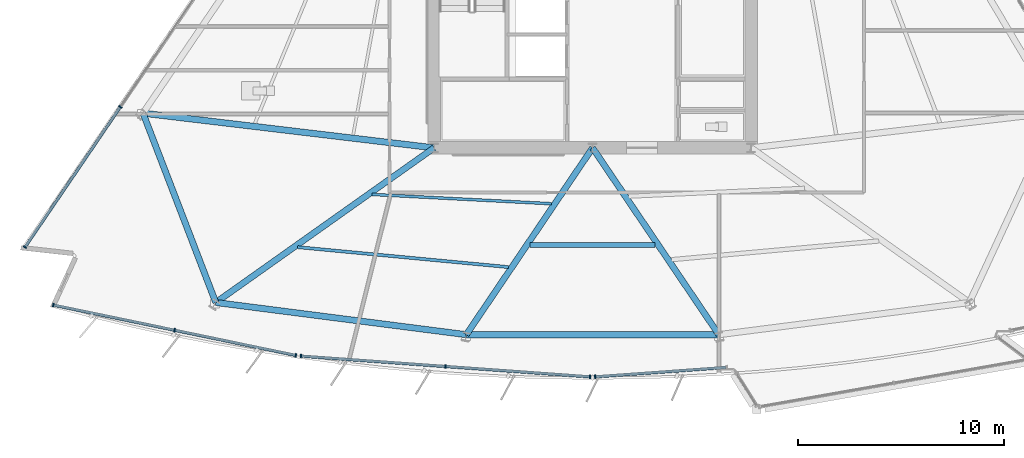
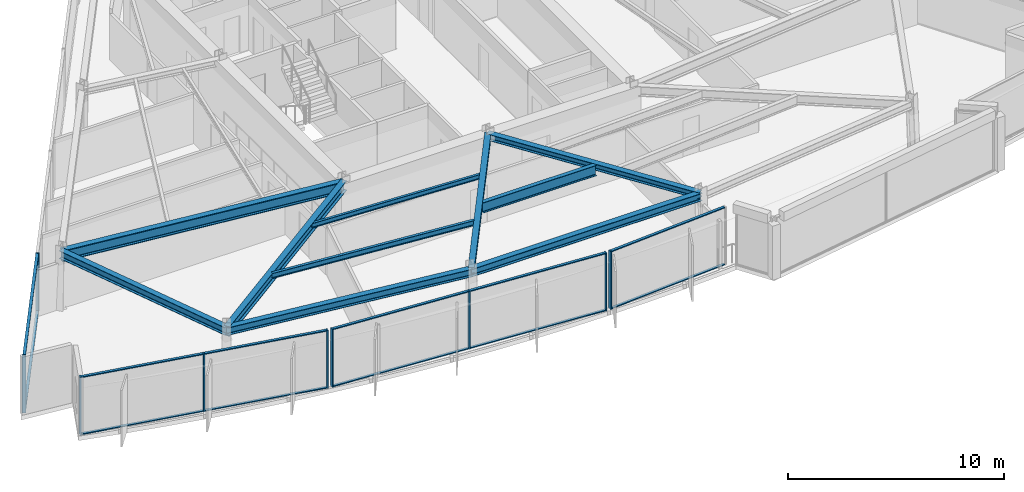
# One storey, part 2 of 15: 21 members, 10 beams, 4 elements without a shape of their own.
"""IFC4 building model written with IfcOpenShell, lengths in metres."""

from ifc_helpers import new_model, si_unit, direction, frame, origin, origin_2d, place, context, subcontext, project, spatial, rectangle, i_section, extrude, material, material_profile, profile_set, type_object, element, aggregate, save


model = new_model("IFC4")

# Units and contexts
model_context = context("Model", 3, precision=1e-05, world=origin(), true_north=direction((0.0, 1.0)))
body_context = subcontext(model_context, "Body", "Model", "MODEL_VIEW")
ifc_project = project(units=[si_unit("LENGTHUNIT", "METRE"), si_unit("AREAUNIT", "SQUARE_METRE"), si_unit("VOLUMEUNIT", "CUBIC_METRE"), si_unit("PLANEANGLEUNIT", "RADIAN"), si_unit("MASSUNIT", "GRAM", prefix="KILO")], contexts=[model_context])

# Site, building, storey
site_placement = place(None, origin())
site = spatial("IfcSite", under=ifc_project, at=site_placement, CompositionType="ELEMENT")
building_placement = place(site_placement, origin())
building = spatial("IfcBuilding", under=site, at=building_placement, Name="Savorim Split Tower", CompositionType="ELEMENT")
storey_placement = place(building_placement, frame((0.0, 0.0, 125.699951171875)))
storey = spatial("IfcBuildingStorey", under=building, at=storey_placement, Name="L33", CompositionType="ELEMENT", Elevation=125.699951171875)

# Beams
ifc_material_1 = material(Name="Steel S355", Category="steel")
ifc_material_profile_1 = material_profile(ifc_material_1, i_section(OverallWidth=0.135009765625, OverallDepth=0.27001953125, WebThickness=0.006591796875, FlangeThickness=0.01025390625, FilletRadius=0.014892578125, at=origin_2d()), Name="IPE 270")
ifc_profile_set_1 = profile_set([ifc_material_profile_1], Name="Steel S355")
beam_type_1 = type_object("IfcBeamType", Name="BM-JST-IPE270", PredefinedType="JOIST", material=ifc_profile_set_1)
beam_1_placement = place(storey_placement, frame((-10.7216796875, -11.662109375, 3.14501953125), z_axis=(0.998658836431, -0.05177381981, 0.0), x_axis=(0.05177381981, 0.998658836431, 0.0)))
element("IfcBeam", 1, at=beam_1_placement, inside=storey, type_object=beam_type_1, Name="L33 Secondary Floor Joist JS-02", PredefinedType="JOIST", context=body_context, shape_type="SweptSolid", body=[
    extrude(i_section(OverallWidth=0.135009765625, OverallDepth=0.27001953125, WebThickness=0.006591796875, FlangeThickness=0.01025390625, FilletRadius=0.014892578125, at=origin_2d()), origin(), (0.0, 0.0, 1.0), 8.733154296875),
])
ifc_material_profile_2 = material_profile(ifc_material_1, i_section(OverallWidth=0.14990234375, OverallDepth=0.300048828125, WebThickness=0.007080078125, FlangeThickness=0.0107421875, FilletRadius=0.014892578125, at=origin_2d()), Name="IPE 300")
ifc_profile_set_2 = profile_set([ifc_material_profile_2], Name="Steel S355")
beam_type_2 = type_object("IfcBeamType", Name="BM-JST-IPE300", PredefinedType="JOIST", material=ifc_profile_set_2)
beam_2_placement = place(storey_placement, frame((-14.327880859375, -14.22314453125, 3.130126953125), z_axis=(0.995545567043, -0.094281620372, 0.0), x_axis=(0.094281620372, 0.995545567043, 0.0)))
element("IfcBeam", 2, at=beam_2_placement, inside=storey, type_object=beam_type_2, Name="L33 Secondary Floor Joist JS-01", PredefinedType="JOIST", context=body_context, shape_type="SweptSolid", body=[
    extrude(i_section(OverallWidth=0.14990234375, OverallDepth=0.300048828125, WebThickness=0.007080078125, FlangeThickness=0.0107421875, FilletRadius=0.014892578125, at=origin_2d()), origin(), (0.0, 0.0, 1.0), 10.2880859375),
])
ifc_material_profile_3 = material_profile(ifc_material_1, i_section(OverallWidth=0.219970703125, OverallDepth=0.60009765625, WebThickness=0.011962890625, FlangeThickness=0.01904296875, FilletRadius=0.02392578125, at=origin_2d()), Name="IPE 600")
ifc_profile_set_3 = profile_set([ifc_material_profile_3], Name="Steel S355")
beam_type_3 = type_object("IfcBeamType", Name="BM-JST-IPE600", PredefinedType="JOIST", material=ifc_profile_set_3)
beam_3_placement = place(storey_placement, frame((-3.030029296875, -14.119140625, 2.97998046875), z_axis=(1.0, 0.0, 0.0), x_axis=(0.0, 1.0, 0.0)))
element("IfcBeam", 3, at=beam_3_placement, inside=storey, type_object=beam_type_3, Name="L33 Secondary Floor Joist JS-03", PredefinedType="JOIST", context=body_context, shape_type="SweptSolid", body=[
    extrude(i_section(OverallWidth=0.219970703125, OverallDepth=0.60009765625, WebThickness=0.011962890625, FlangeThickness=0.01904296875, FilletRadius=0.02392578125, at=origin_2d()), origin(), (0.0, 0.0, 1.0), 6.06005859375),
])
ifc_material_profile_4 = material_profile(ifc_material_1, i_section(OverallWidth=0.300048828125, OverallDepth=0.360107421875, WebThickness=0.012451171875, FlangeThickness=0.0224609375, FilletRadius=0.027099609375, at=origin_2d()), Name="HEB 360")
ifc_profile_set_4 = profile_set([ifc_material_profile_4], Name="Steel S355")
beam_type_4 = type_object("IfcBeamType", Name="BM-PRI-HEB360", PredefinedType="BEAM", material=ifc_profile_set_4)
for number, where, z_axis, x_axis, name in (
    (4, (-6.135009765625, -18.47509765625, 3.10009765625), (0.56005300594, 0.828456776505, 0.0), (-0.828456776505, 0.56005300594, 0.0), "L33 Primary Floor Girder RG-02"),
    (5, (6.135009765625, -18.47509765625, 3.10009765625), (-0.56005300594, 0.828456776505, 0.0), (-0.828456776505, -0.56005300594, 0.0), "L33 Primary Floor Girder RG-03"),
):
    element("IfcBeam", number, at=place(storey_placement, frame(where, z_axis=z_axis, x_axis=x_axis)), inside=storey, type_object=beam_type_4, Name=name, PredefinedType="BEAM", context=body_context, shape_type="SweptSolid", body=[
        extrude(i_section(OverallWidth=0.300048828125, OverallDepth=0.360107421875, WebThickness=0.012451171875, FlangeThickness=0.0224609375, FilletRadius=0.027099609375, at=origin_2d()), origin(), (0.0, 0.0, 1.0), 10.954345703125),
    ])
ifc_material_profile_5 = material_profile(ifc_material_1, i_section(OverallWidth=0.300048828125, OverallDepth=0.550048828125, WebThickness=0.014892578125, FlangeThickness=0.029052734375, FilletRadius=0.027099609375, at=origin_2d()), Name="HEB 550")
ifc_profile_set_5 = profile_set([ifc_material_profile_5], Name="Steel S355")
beam_type_5 = type_object("IfcBeamType", Name="BM-PRI-HEB550", PredefinedType="BEAM", material=ifc_profile_set_5)
beam_4_placement = place(storey_placement, frame((-18.304931640625, -16.91259765625, 3.005126953125), z_axis=(0.815994206393, 0.578060079173, 0.0), x_axis=(-0.578060079173, 0.815994206393, 0.0)))
element("IfcBeam", 6, at=beam_4_placement, inside=storey, type_object=beam_type_5, Name="L33 Primary Floor Girder RG-01", PredefinedType="BEAM", context=body_context, shape_type="SweptSolid", body=[
    extrude(i_section(OverallWidth=0.300048828125, OverallDepth=0.550048828125, WebThickness=0.014892578125, FlangeThickness=0.029052734375, FilletRadius=0.027099609375, at=origin_2d()), origin(), (0.0, 0.0, 1.0), 12.996337890625),
])
ifc_material_2 = material(Name="Steel S460", Category="steel")
ifc_material_profile_6 = material_profile(ifc_material_2, i_section(OverallWidth=0.304931640625, OverallDepth=0.6201171875, WebThickness=0.02099609375, FlangeThickness=0.0400390625, FilletRadius=0.027099609375, at=origin_2d()), Name="HE 600 M")
ifc_profile_set_6 = profile_set([ifc_material_profile_6], Name="Steel S460")
beam_type_6 = type_object("IfcBeamType", Name="BM-PRI-HEM600", PredefinedType="BEAM", material=ifc_profile_set_6)
beam_5_placement = place(storey_placement, frame((-21.83984375, -7.714599609375, 2.969970703125), z_axis=(0.992971924976, -0.118350142413, 0.0), x_axis=(0.118350142413, 0.992971924976, 0.0)))
element("IfcBeam", 7, at=beam_5_placement, inside=storey, type_object=beam_type_6, Name="L33 Primary Floor Girder RG-10", PredefinedType="BEAM", context=body_context, shape_type="SweptSolid", body=[
    extrude(i_section(OverallWidth=0.304931640625, OverallDepth=0.6201171875, WebThickness=0.02099609375, FlangeThickness=0.0400390625, FilletRadius=0.027099609375, at=origin_2d()), origin(), (0.0, 0.0, 1.0), 14.239990234375),
])
ifc_material_profile_7 = material_profile(ifc_material_1, i_section(OverallWidth=0.300048828125, OverallDepth=0.43994140625, WebThickness=0.011474609375, FlangeThickness=0.02099609375, FilletRadius=0.027099609375, at=origin_2d()), Name="HEA 450")
ifc_profile_set_7 = profile_set([ifc_material_profile_7], Name="Steel S355")
beam_type_7 = type_object("IfcBeamType", Name="BM-SPN-HEA450", PredefinedType="SPANDREL", material=ifc_profile_set_7)
beam_6_placement = place(storey_placement, frame((-18.304931640625, -16.91259765625, 3.06005859375), z_axis=(0.991858481482, -0.127345014474, 0.0), x_axis=(0.127345014474, 0.991858481482, 0.0)))
element("IfcBeam", 8, at=beam_6_placement, inside=storey, type_object=beam_type_7, Name="L33 Perimeter Spandrel Beam 1", PredefinedType="SPANDREL", context=body_context, shape_type="SweptSolid", body=[
    extrude(i_section(OverallWidth=0.300048828125, OverallDepth=0.43994140625, WebThickness=0.011474609375, FlangeThickness=0.02099609375, FilletRadius=0.027099609375, at=origin_2d()), origin(), (0.0, 0.0, 1.0), 12.269775390625),
])
beam_7_placement = place(storey_placement, frame((-6.135009765625, -18.47509765625, 3.06005859375), z_axis=(1.0, 0.0, 0.0), x_axis=(0.0, 1.0, 0.0)))
element("IfcBeam", 9, at=beam_7_placement, inside=storey, type_object=beam_type_7, Name="L33 Perimeter Spandrel Beam 2", PredefinedType="SPANDREL", context=body_context, shape_type="SweptSolid", body=[
    extrude(i_section(OverallWidth=0.300048828125, OverallDepth=0.43994140625, WebThickness=0.011474609375, FlangeThickness=0.02099609375, FilletRadius=0.027099609375, at=origin_2d()), origin(), (0.0, 0.0, 1.0), 12.27001953125),
])
beam_8_placement = place(storey_placement, frame((-21.83984375, -7.714599609375, 3.06005859375), z_axis=(0.358733349123, -0.933440080684, 0.0), x_axis=(0.933440080684, 0.358733349123, 0.0)))
element("IfcBeam", 10, at=beam_8_placement, inside=storey, type_object=beam_type_7, Name="L33 Perimeter Spandrel Beam 10", PredefinedType="SPANDREL", context=body_context, shape_type="SweptSolid", body=[
    extrude(i_section(OverallWidth=0.300048828125, OverallDepth=0.43994140625, WebThickness=0.011474609375, FlangeThickness=0.02099609375, FilletRadius=0.027099609375, at=origin_2d()), origin(), (0.0, 0.0, 1.0), 9.853759765625),
])

# Curtain wall, members
ifc_material_3 = material(Name="Dark Ceramic-Fritted Insulated Glass", Category="glass")
curtain_wall_type = type_object("IfcCurtainWallType", Name="CW-TWR-FRIT-A", PredefinedType="NOTDEFINED", material=ifc_material_3)
curtain_wall_1_placement = place(storey_placement, origin())
curtain_wall_1 = element("IfcCurtainWall", 11, at=curtain_wall_1_placement, inside=storey, type_object=curtain_wall_type, Name="L33 Curtain Wall CW-L33-SF1A", PredefinedType="NOTDEFINED")
ifc_material_4 = material(Name="Charcoal Anodised Aluminium", Category="aluminium")
ifc_material_profile_8 = material_profile(ifc_material_4, rectangle(XDim=0.179931640625, YDim=0.06494140625, at=origin_2d()), Name="ALU-M 180x65")
ifc_profile_set_8 = profile_set([ifc_material_profile_8], Name="Charcoal Anodised Aluminium")
member_type_1 = type_object("IfcMemberType", Name="CWM-180x65", PredefinedType="MULLION", material=ifc_profile_set_8)
member_1_placement = place(storey_placement, frame((-26.201171875, -17.0341796875, 0.0), z_axis=(0.0, 0.0, 1.0), x_axis=(0.203216307351, 0.979133868491, 0.0)))
member_1 = element("IfcMember", 12, at=member_1_placement, type_object=member_type_1, Name="CW-02 mullion 1", PredefinedType="MULLION", context=body_context, shape_type="SweptSolid", body=[
    extrude(rectangle(XDim=0.179931640625, YDim=0.06494140625, at=origin_2d()), origin(), (0.0, 0.0, 1.0), 3.280029296875),
])
member_2_placement = place(storey_placement, frame((-20.30859375, -18.257080078125, 0.0), z_axis=(0.0, 0.0, 1.0), x_axis=(0.203216307351, 0.979133868491, 0.0)))
member_2 = element("IfcMember", 13, at=member_2_placement, type_object=member_type_1, Name="CW-02 mullion 2", PredefinedType="MULLION", context=body_context, shape_type="SweptSolid", body=[
    extrude(rectangle(XDim=0.179931640625, YDim=0.06494140625, at=origin_2d()), origin(), (0.0, 0.0, 1.0), 3.280029296875),
])
member_3_placement = place(storey_placement, frame((-14.416259765625, -19.47998046875, 0.0), z_axis=(0.0, 0.0, 1.0), x_axis=(0.203216307351, 0.979133868491, 0.0)))
member_3 = element("IfcMember", 14, at=member_3_placement, type_object=member_type_1, Name="CW-02 mullion 3", PredefinedType="MULLION", context=body_context, shape_type="SweptSolid", body=[
    extrude(rectangle(XDim=0.179931640625, YDim=0.06494140625, at=origin_2d()), origin(), (0.0, 0.0, 1.0), 3.280029296875),
])

curtain_wall_2_placement = place(storey_placement, origin())
curtain_wall_2 = element("IfcCurtainWall", 15, at=curtain_wall_2_placement, inside=storey, type_object=curtain_wall_type, Name="L33 Curtain Wall CW-L33-SF2A", PredefinedType="NOTDEFINED")
member_4_placement = place(storey_placement, frame((-14.170166015625, -19.514404296875, 0.0), z_axis=(0.0, 0.0, 1.0), x_axis=(0.071558982453, 0.997436369916, 0.0)))
member_4 = element("IfcMember", 16, at=member_4_placement, type_object=member_type_1, Name="CW-02 mullion 1", PredefinedType="MULLION", context=body_context, shape_type="SweptSolid", body=[
    extrude(rectangle(XDim=0.179931640625, YDim=0.06494140625, at=origin_2d()), origin(), (0.0, 0.0, 1.0), 3.280029296875),
])
member_5_placement = place(storey_placement, frame((-7.14697265625, -20.018310546875, 0.0), z_axis=(0.0, 0.0, 1.0), x_axis=(0.071558982453, 0.997436369916, 0.0)))
member_5 = element("IfcMember", 17, at=member_5_placement, type_object=member_type_1, Name="CW-02 mullion 2", PredefinedType="MULLION", context=body_context, shape_type="SweptSolid", body=[
    extrude(rectangle(XDim=0.179931640625, YDim=0.06494140625, at=origin_2d()), origin(), (0.0, 0.0, 1.0), 3.280029296875),
])
member_6_placement = place(storey_placement, frame((-0.12353515625, -20.52197265625, 0.0), z_axis=(0.0, 0.0, 1.0), x_axis=(0.071558982453, 0.997436369916, 0.0)))
member_6 = element("IfcMember", 18, at=member_6_placement, type_object=member_type_1, Name="CW-02 mullion 3", PredefinedType="MULLION", context=body_context, shape_type="SweptSolid", body=[
    extrude(rectangle(XDim=0.179931640625, YDim=0.06494140625, at=origin_2d()), origin(), (0.0, 0.0, 1.0), 3.280029296875),
])

# Curtain wall, member
curtain_wall_3_placement = place(storey_placement, origin())
curtain_wall_3 = element("IfcCurtainWall", 19, at=curtain_wall_3_placement, inside=storey, type_object=curtain_wall_type, Name="L33 Curtain Wall CW-L33-SF3A", PredefinedType="NOTDEFINED")
member_7_placement = place(storey_placement, frame((0.12353515625, -20.52197265625, 0.0), z_axis=(0.0, 0.0, 1.0), x_axis=(-0.071562632816, 0.997436108021, 0.0)))
member_7 = element("IfcMember", 20, at=member_7_placement, type_object=member_type_1, Name="CW-02 mullion 1", PredefinedType="MULLION", context=body_context, shape_type="SweptSolid", body=[
    extrude(rectangle(XDim=0.179931640625, YDim=0.06494140625, at=origin_2d()), origin(), (0.0, 0.0, 1.0), 3.280029296875),
])

# Curtain wall, members
curtain_wall_4_placement = place(storey_placement, origin())
curtain_wall_4 = element("IfcCurtainWall", 21, at=curtain_wall_4_placement, inside=storey, type_object=curtain_wall_type, Name="L33 Curtain Wall CW-L33-WEST", PredefinedType="NOTDEFINED")
member_8_placement = place(storey_placement, frame((-22.94140625, -7.4091796875, 0.0), z_axis=(0.0, 0.0, 1.0), x_axis=(0.826819959579, -0.562466669628, 0.0)))
member_8 = element("IfcMember", 22, at=member_8_placement, type_object=member_type_1, Name="CW-02 mullion 4", PredefinedType="MULLION", context=body_context, shape_type="SweptSolid", body=[
    extrude(rectangle(XDim=0.179931640625, YDim=0.06494140625, at=origin_2d()), origin(), (0.0, 0.0, 1.0), 3.280029296875),
])
member_9_placement = place(storey_placement, frame((-27.57568359375, -14.221435546875, 0.0), z_axis=(0.0, 0.0, 1.0), x_axis=(0.826819959579, -0.562466669628, 0.0)))
member_9 = element("IfcMember", 23, at=member_9_placement, type_object=member_type_1, Name="CW-02 mullion 5", PredefinedType="MULLION", context=body_context, shape_type="SweptSolid", body=[
    extrude(rectangle(XDim=0.179931640625, YDim=0.06494140625, at=origin_2d()), origin(), (0.0, 0.0, 1.0), 3.280029296875),
])

# Member
ifc_material_profile_9 = material_profile(ifc_material_4, rectangle(XDim=0.139892578125, YDim=0.054931640625, at=origin_2d()), Name="ALU-T 140x55")
ifc_profile_set_9 = profile_set([ifc_material_profile_9], Name="Charcoal Anodised Aluminium")
member_type_2 = type_object("IfcMemberType", Name="CWT-140x55", PredefinedType="USERDEFINED", material=ifc_profile_set_9)
member_10_placement = place(storey_placement, frame((-26.169189453125, -17.040771484375, 0.027587890625), z_axis=(0.979133683494, -0.203217198698, 0.0), x_axis=(0.203217198698, 0.979133683494, 0.0)))
member_10 = element("IfcMember", 24, at=member_10_placement, type_object=member_type_2, Name="CW-02 transom 1.1", ObjectType="TRANSOM", PredefinedType="USERDEFINED", context=body_context, shape_type="SweptSolid", body=[
    extrude(rectangle(XDim=0.139892578125, YDim=0.054931640625, at=origin_2d()), origin(), (0.0, 0.0, 1.0), 5.952880859375),
])

member_11_placement = place(storey_placement, frame((-26.169189453125, -17.040771484375, 3.25244140625), z_axis=(0.979133683494, -0.203217198698, 0.0), x_axis=(0.203217198698, 0.979133683494, 0.0)))
member_11 = element("IfcMember", 25, at=member_11_placement, type_object=member_type_2, Name="CW-02 transom 1.2", ObjectType="TRANSOM", PredefinedType="USERDEFINED", context=body_context, shape_type="SweptSolid", body=[
    extrude(rectangle(XDim=0.139892578125, YDim=0.054931640625, at=origin_2d()), origin(), (0.0, 0.0, 1.0), 5.952880859375),
])

member_12_placement = place(storey_placement, frame((-20.27685546875, -18.263671875, 0.027587890625), z_axis=(0.979133683494, -0.203217198698, 0.0), x_axis=(0.203217198698, 0.979133683494, 0.0)))
member_12 = element("IfcMember", 26, at=member_12_placement, type_object=member_type_2, Name="CW-02 transom 2.1", ObjectType="TRANSOM", PredefinedType="USERDEFINED", context=body_context, shape_type="SweptSolid", body=[
    extrude(rectangle(XDim=0.139892578125, YDim=0.054931640625, at=origin_2d()), origin(), (0.0, 0.0, 1.0), 5.952880859375),
])

member_13_placement = place(storey_placement, frame((-20.27685546875, -18.263671875, 3.25244140625), z_axis=(0.979133683494, -0.203217198698, 0.0), x_axis=(0.203217198698, 0.979133683494, 0.0)))
member_13 = element("IfcMember", 27, at=member_13_placement, type_object=member_type_2, Name="CW-02 transom 2.2", ObjectType="TRANSOM", PredefinedType="USERDEFINED", context=body_context, shape_type="SweptSolid", body=[
    extrude(rectangle(XDim=0.139892578125, YDim=0.054931640625, at=origin_2d()), origin(), (0.0, 0.0, 1.0), 5.952880859375),
])

aggregate(curtain_wall_1, [member_1, member_2, member_3, member_10, member_11, member_12, member_13])

member_14_placement = place(storey_placement, frame((-14.137939453125, -19.5166015625, 0.027587890625), z_axis=(0.997435910974, -0.071565379199, 0.0), x_axis=(0.071565379199, 0.997435910974, 0.0)))
member_14 = element("IfcMember", 28, at=member_14_placement, type_object=member_type_2, Name="CW-02 transom 1.1", ObjectType="TRANSOM", PredefinedType="USERDEFINED", context=body_context, shape_type="SweptSolid", body=[
    extrude(rectangle(XDim=0.139892578125, YDim=0.054931640625, at=origin_2d()), origin(), (0.0, 0.0, 1.0), 6.976318359375),
])

member_15_placement = place(storey_placement, frame((-14.137939453125, -19.5166015625, 3.25244140625), z_axis=(0.997435910974, -0.071565379199, 0.0), x_axis=(0.071565379199, 0.997435910974, 0.0)))
member_15 = element("IfcMember", 29, at=member_15_placement, type_object=member_type_2, Name="CW-02 transom 1.2", ObjectType="TRANSOM", PredefinedType="USERDEFINED", context=body_context, shape_type="SweptSolid", body=[
    extrude(rectangle(XDim=0.139892578125, YDim=0.054931640625, at=origin_2d()), origin(), (0.0, 0.0, 1.0), 6.976318359375),
])

member_16_placement = place(storey_placement, frame((-7.114501953125, -20.0205078125, 0.027587890625), z_axis=(0.997435910974, -0.071565379199, 0.0), x_axis=(0.071565379199, 0.997435910974, 0.0)))
member_16 = element("IfcMember", 30, at=member_16_placement, type_object=member_type_2, Name="CW-02 transom 2.1", ObjectType="TRANSOM", PredefinedType="USERDEFINED", context=body_context, shape_type="SweptSolid", body=[
    extrude(rectangle(XDim=0.139892578125, YDim=0.054931640625, at=origin_2d()), origin(), (0.0, 0.0, 1.0), 6.976318359375),
])

member_17_placement = place(storey_placement, frame((-7.114501953125, -20.0205078125, 3.25244140625), z_axis=(0.997435910974, -0.071565379199, 0.0), x_axis=(0.071565379199, 0.997435910974, 0.0)))
member_17 = element("IfcMember", 31, at=member_17_placement, type_object=member_type_2, Name="CW-02 transom 2.2", ObjectType="TRANSOM", PredefinedType="USERDEFINED", context=body_context, shape_type="SweptSolid", body=[
    extrude(rectangle(XDim=0.139892578125, YDim=0.054931640625, at=origin_2d()), origin(), (0.0, 0.0, 1.0), 6.976318359375),
])

aggregate(curtain_wall_2, [member_4, member_5, member_6, member_14, member_15, member_16, member_17])

member_18_placement = place(storey_placement, frame((0.156005859375, -20.519775390625, 0.027587890625), z_axis=(0.997436931693, 0.071551151595, 0.0), x_axis=(-0.071551151595, 0.997436931693, 0.0)))
member_18 = element("IfcMember", 32, at=member_18_placement, type_object=member_type_2, Name="CW-02 transom 1.1", ObjectType="TRANSOM", PredefinedType="USERDEFINED", context=body_context, shape_type="SweptSolid", body=[
    extrude(rectangle(XDim=0.139892578125, YDim=0.054931640625, at=origin_2d()), origin(), (0.0, 0.0, 1.0), 6.332763671875),
])

member_19_placement = place(storey_placement, frame((0.156005859375, -20.519775390625, 3.25244140625), z_axis=(0.997436931693, 0.071551151595, 0.0), x_axis=(-0.071551151595, 0.997436931693, 0.0)))
member_19 = element("IfcMember", 33, at=member_19_placement, type_object=member_type_2, Name="CW-02 transom 1.2", ObjectType="TRANSOM", PredefinedType="USERDEFINED", context=body_context, shape_type="SweptSolid", body=[
    extrude(rectangle(XDim=0.139892578125, YDim=0.054931640625, at=origin_2d()), origin(), (0.0, 0.0, 1.0), 6.332763671875),
])

aggregate(curtain_wall_3, [member_7, member_18, member_19])

member_20_placement = place(storey_placement, frame((-22.959716796875, -7.43603515625, 0.027587890625), z_axis=(-0.562478304433, -0.826812044568, 0.0), x_axis=(0.826812044568, -0.562478304433, 0.0)))
member_20 = element("IfcMember", 34, at=member_20_placement, type_object=member_type_2, Name="CW-02 transom 4.1", ObjectType="TRANSOM", PredefinedType="USERDEFINED", context=body_context, shape_type="SweptSolid", body=[
    extrude(rectangle(XDim=0.139892578125, YDim=0.054931640625, at=origin_2d()), origin(), (0.0, 0.0, 1.0), 8.173828125),
])

member_21_placement = place(storey_placement, frame((-22.959716796875, -7.43603515625, 3.25244140625), z_axis=(-0.562478304433, -0.826812044568, 0.0), x_axis=(0.826812044568, -0.562478304433, 0.0)))
member_21 = element("IfcMember", 35, at=member_21_placement, type_object=member_type_2, Name="CW-02 transom 4.2", ObjectType="TRANSOM", PredefinedType="USERDEFINED", context=body_context, shape_type="SweptSolid", body=[
    extrude(rectangle(XDim=0.139892578125, YDim=0.054931640625, at=origin_2d()), origin(), (0.0, 0.0, 1.0), 8.173828125),
])

aggregate(curtain_wall_4, [member_8, member_9, member_20, member_21])

save(model, "model.ifc")
